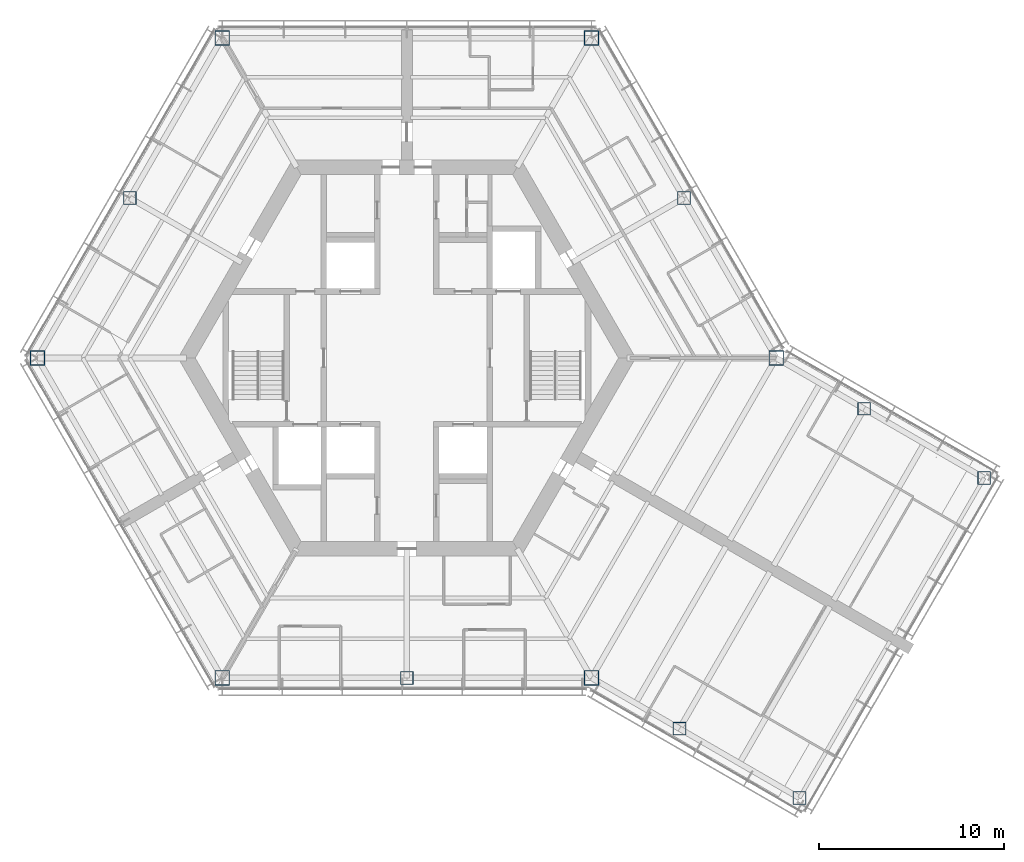
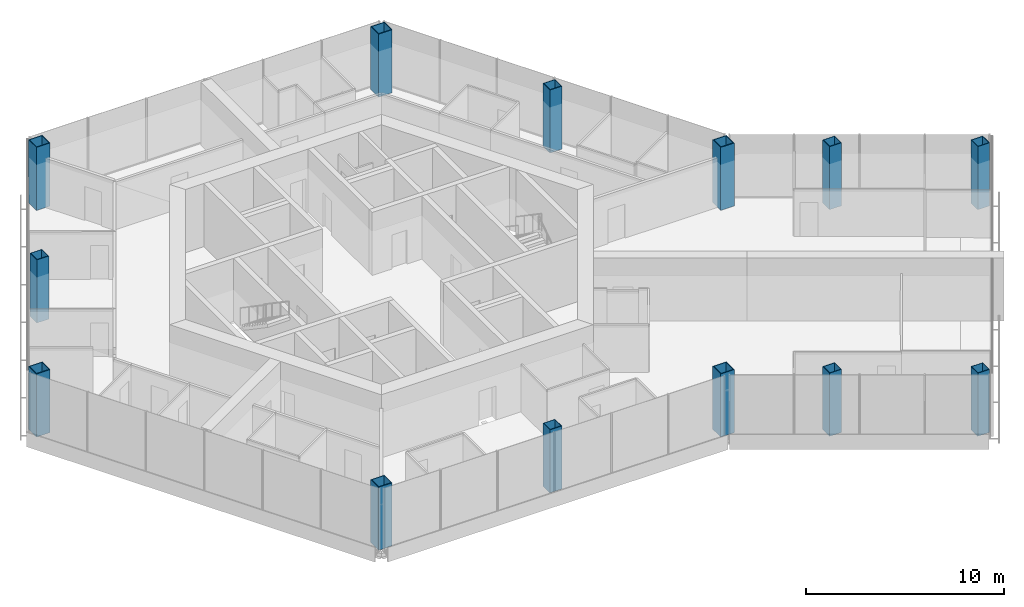
# One storey, part 1 of 17: 13 columns.
"""IFC4 building model written with IfcOpenShell, lengths in metres."""

from ifc_helpers import new_model, si_unit, direction, frame, origin, origin_2d, place, context, subcontext, project, spatial, hollow_rectangle, extrude, material, material_profile, profile_set, type_object, element, save


model = new_model("IFC4")

# Units and contexts
model_context = context("Model", 3, precision=1e-05, world=origin(), true_north=direction((0.0, 1.0)))
body_context = subcontext(model_context, "Body", "Model", "MODEL_VIEW")
ifc_project = project(units=[si_unit("LENGTHUNIT", "METRE"), si_unit("AREAUNIT", "SQUARE_METRE"), si_unit("VOLUMEUNIT", "CUBIC_METRE"), si_unit("PLANEANGLEUNIT", "RADIAN"), si_unit("MASSUNIT", "GRAM", prefix="KILO")], contexts=[model_context])

# Site, building, storey
site_placement = place(None, origin())
site = spatial("IfcSite", under=ifc_project, at=site_placement, CompositionType="ELEMENT")
building_placement = place(site_placement, origin())
building = spatial("IfcBuilding", under=site, at=building_placement, Name="Kasaneha Research Tower", CompositionType="ELEMENT")
storey_placement = place(building_placement, frame((0.0, 0.0, 232.300048828125)))
storey = spatial("IfcBuildingStorey", under=building, at=storey_placement, Name="L58", CompositionType="ELEMENT", Elevation=232.300048828125)

# Columns
ifc_material_1 = material(Name="Steel SN490C", Category="steel")
ifc_material_profile_1 = material_profile(ifc_material_1, hollow_rectangle(XDim=0.800048828125, YDim=0.800048828125, WallThickness=0.0400390625, at=origin_2d()), Name="BOX-800x800x40")
ifc_profile_set_1 = profile_set([ifc_material_profile_1], Name="Steel SN490C")
column_type_1 = type_object("IfcColumnType", Name="C4A column BOX-800x800x40", PredefinedType="COLUMN", material=ifc_profile_set_1)
for number, where, z_axis, x_axis, name in (
    (1, (20.0, 0.0, 0.0), (0.0, 0.0, 1.0), (1.0, 0.0, 0.0), "Column V0 L58"),
    (2, (10.0, 17.320556640625, 0.0), (0.0, 0.0, 1.0), (1.0, 0.0, 0.0), "Column V1 L58"),
    (3, (-10.0, 17.320556640625, 0.0), (0.0, 0.0, 1.0), (1.0, 0.0, 0.0), "Column V2 L58"),
    (4, (-20.0, 0.0, 0.0), (0.0, 0.0, 1.0), (1.0, 0.0, 0.0), "Column V3 L58"),
    (5, (-10.0, -17.320556640625, 0.0), (0.0, 0.0, 1.0), (1.0, 0.0, 0.0), "Column V4 L58"),
    (6, (10.0, -17.320556640625, 0.0), (0.0, 0.0, 1.0), (1.0, 0.0, 0.0), "Column V5 L58"),
):
    element("IfcColumn", number, at=place(storey_placement, frame(where, z_axis=z_axis, x_axis=x_axis)), inside=storey, type_object=column_type_1, Name=name, PredefinedType="COLUMN", context=body_context, shape_type="SweptSolid", body=[
        extrude(hollow_rectangle(XDim=0.800048828125, YDim=0.800048828125, WallThickness=0.0400390625, at=origin_2d()), origin(), (0.0, 0.0, 1.0), 3.89990234375),
    ])
ifc_material_2 = material(Name="Steel SN490C", Category="steel")
ifc_material_profile_2 = material_profile(ifc_material_2, hollow_rectangle(XDim=0.699951171875, YDim=0.699951171875, WallThickness=0.031982421875, at=origin_2d()), Name="BOX-700x700x32")
ifc_profile_set_2 = profile_set([ifc_material_profile_2], Name="Steel SN490C")
column_type_2 = type_object("IfcColumnType", Name="C4B column BOX-700x700x32", PredefinedType="COLUMN", material=ifc_profile_set_2)
for number, where, z_axis, x_axis, name in (
    (7, (15.0, 8.66015625, 0.0), (0.0, 0.0, 1.0), (1.0, 0.0, 0.0), "Column M030 L58"),
    (8, (-15.0, 8.66015625, 0.0), (0.0, 0.0, 1.0), (1.0, 0.0, 0.0), "Column M150 L58"),
    (9, (0.0, -17.320556640625, 0.0), (0.0, 0.0, 1.0), (1.0, 0.0, 0.0), "Column M270 L58"),
    (10, (14.76318359375, -20.070556640625, 0.0), (0.0, 0.0, 1.0), (1.0, 0.0, 0.0), "Column CSP L58"),
    (11, (21.25830078125, -23.820556640625, 0.0), (0.0, 0.0, 1.0), (1.0, 0.0, 0.0), "Column CTP L58"),
    (12, (24.76318359375, -2.75, 0.0), (0.0, 0.0, 1.0), (1.0, 0.0, 0.0), "Column CSN L58"),
    (13, (31.25830078125, -6.5, 0.0), (0.0, 0.0, 1.0), (1.0, 0.0, 0.0), "Column CTN L58"),
):
    element("IfcColumn", number, at=place(storey_placement, frame(where, z_axis=z_axis, x_axis=x_axis)), inside=storey, type_object=column_type_2, Name=name, PredefinedType="COLUMN", context=body_context, shape_type="SweptSolid", body=[
        extrude(hollow_rectangle(XDim=0.699951171875, YDim=0.699951171875, WallThickness=0.031982421875, at=origin_2d()), origin(), (0.0, 0.0, 1.0), 3.89990234375),
    ])

save(model, "model.ifc")
